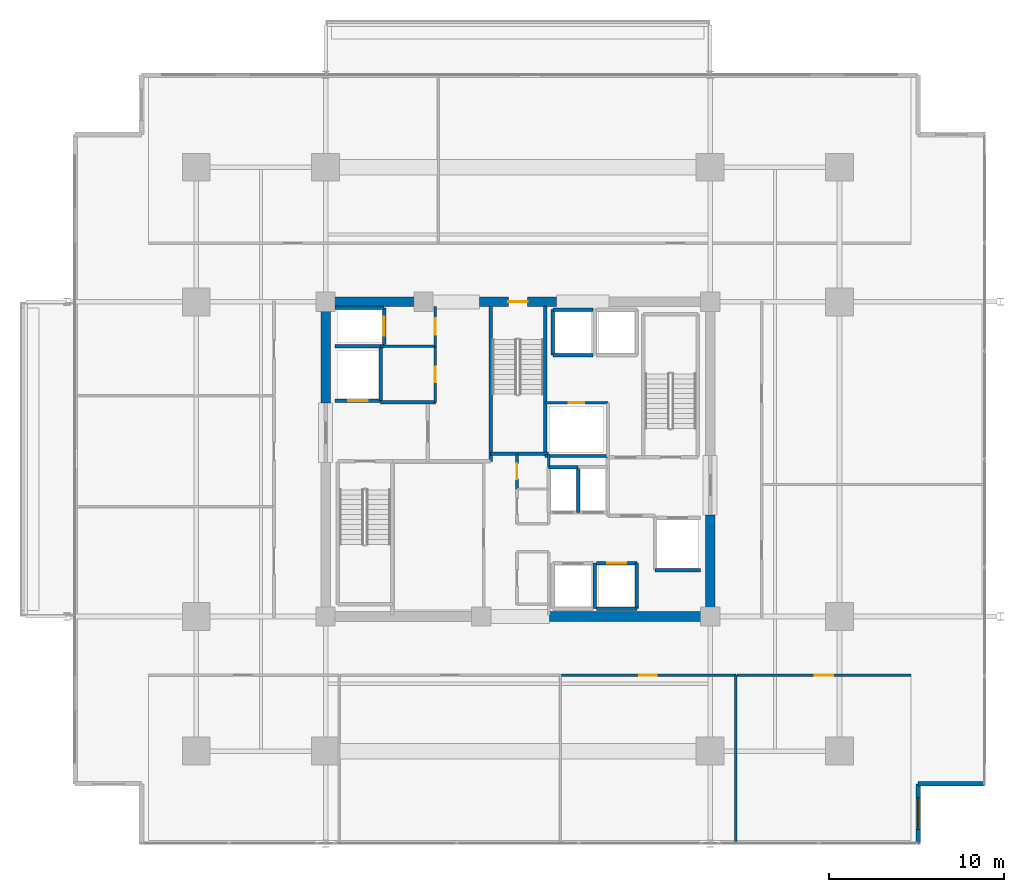
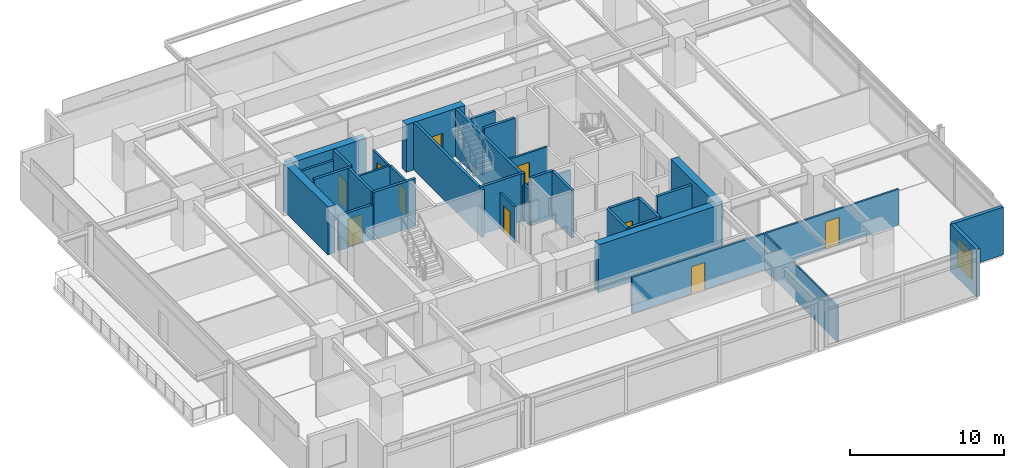
# One storey, part 14 of 20: 36 walls, 10 doors, 1 window, 11 openings.
"""IFC4 building model written with IfcOpenShell, lengths in metres."""

from ifc_helpers import new_model, si_unit, direction, frame, frame_2d, origin, place, context, subcontext, project, spatial, rectangle, extrude, material, layer, layer_set, type_object, element, fill, save


model = new_model("IFC4")

# Units and contexts
model_context = context("Model", 3, precision=1e-05, world=origin(), true_north=direction((0.0, 1.0)))
body_context = subcontext(model_context, "Body", "Model", "MODEL_VIEW")
ifc_project = project(units=[si_unit("LENGTHUNIT", "METRE"), si_unit("AREAUNIT", "SQUARE_METRE"), si_unit("VOLUMEUNIT", "CUBIC_METRE"), si_unit("PLANEANGLEUNIT", "RADIAN"), si_unit("MASSUNIT", "GRAM", prefix="KILO")], contexts=[model_context])

# Site, building, storey
site_placement = place(None, origin())
site = spatial("IfcSite", under=ifc_project, at=site_placement, CompositionType="ELEMENT")
building_placement = place(site_placement, origin())
building = spatial("IfcBuilding", under=site, at=building_placement, Name="Kovane Verandah Tower", CompositionType="ELEMENT")
storey_placement = place(building_placement, frame((0.0, 0.0, 164.39990234375)))
storey = spatial("IfcBuildingStorey", under=building, at=storey_placement, Name="L38", CompositionType="ELEMENT", Elevation=164.39990234375)

# Wall
ifc_material_1 = material(Name="Fire-Rated Gypsum Stud Partition", Category="gypsum")
ifc_layer_1 = layer(ifc_material_1, 0.14990234375)
ifc_layer_set_1 = layer_set([ifc_layer_1], Name="Fire-Rated Gypsum Stud Partition")
wall_type_1 = type_object("IfcWallType", Name="WL-COR-150", PredefinedType="PARTITIONING", material=ifc_layer_set_1)
wall_1_placement = place(storey_placement, frame((41.760009765625, 27.050048828125, 0.0), z_axis=(0.0, 0.0, 1.0), x_axis=(0.0, 1.0, 0.0)))
element("IfcWall", 1, at=wall_1_placement, inside=storey, type_object=wall_type_1, Name="L38 Central Core Strip Upper East Wall", PredefinedType="PARTITIONING", context=body_context, shape_type="SweptSolid", body=[
    extrude(rectangle(XDim=0.75, YDim=0.14990234375, at=frame_2d((0.375, 0.0))), origin(), (0.0, 0.0, 1.0), 2.85009765625),
])

# Wall, opening, door
wall_2_placement = place(storey_placement, frame((39.949951171875, 25.800048828125, 0.0), z_axis=(0.0, 0.0, 1.0), x_axis=(0.0, 1.0, 0.0)))
wall_2 = element("IfcWall", 2, at=wall_2_placement, inside=storey, type_object=wall_type_1, Name="L38 Telecom and BMS Riser Room Partition", PredefinedType="PARTITIONING", context=body_context, shape_type="SweptSolid", body=[
    extrude(rectangle(XDim=2.0, YDim=0.14990234375, at=frame_2d((1.0, 0.0))), origin(), (0.0, 0.0, 1.0), 2.85009765625),
])
opening_1_placement = place(wall_2_placement, frame((0.56005859375, 0.0, 0.0)))
opening_1 = element("IfcOpeningElement", 3, at=opening_1_placement, cuts=wall_2, Name="Opening DR-L38-022", PredefinedType="OPENING", context=body_context, shape_type="SweptSolid", body=[
    extrude(rectangle(XDim=0.8798828125, YDim=2.10009765625, at=frame_2d((0.43994140625, 1.050048828125))), frame((0.0, 0.074951171875, 0.0), z_axis=(0.0, -1.0, 0.0), x_axis=(1.0, 0.0, 0.0)), (0.0, 0.0, 1.0), 0.14990234375),
])
ifc_material_2 = material(Name="Fire-Rated Steel Riser Access Door", Category="steel")
door_type_1 = type_object("IfcDoorType", Name="DR-RISER-880", OperationType="SINGLE_SWING_LEFT", PredefinedType="DOOR", material=ifc_material_2)
door_1_placement = place(opening_1_placement, origin())
door_1 = element("IfcDoor", 4, at=door_1_placement, inside=storey, type_object=door_type_1, Name="L38 Telecom and BMS Riser Room Door", OperationType="SINGLE_SWING_RIGHT", OverallHeight=2.10009765625, OverallWidth=0.8798828125, PredefinedType="DOOR", context=body_context, shape_type="SweptSolid", body=[
    extrude(rectangle(XDim=0.8798828125, YDim=2.10009765625, at=frame_2d((0.43994140625, 1.050048828125))), frame((0.0, 0.02490234375, 0.0), z_axis=(0.0, -1.0, 0.0), x_axis=(1.0, 0.0, 0.0)), (0.0, 0.0, 1.0), 0.050048828125),
])
fill(opening_1, door_1)

# Wall
wall_3_placement = place(storey_placement, frame((32.14990234375, 33.949951171875, 0.0), z_axis=(0.0, 0.0, 1.0), x_axis=(1.0, 0.0, 0.0)))
element("IfcWall", 5, at=wall_3_placement, inside=storey, type_object=wall_type_1, Name="L38 Goods Lift Lobby South Wall", PredefinedType="PARTITIONING", context=body_context, shape_type="SweptSolid", body=[
    extrude(rectangle(XDim=3.130126953125, YDim=0.14990234375, at=frame_2d((1.56494140625, 0.0))), origin(), (0.0, 0.0, 1.0), 2.85009765625),
])

# Wall, opening, door
wall_4_placement = place(storey_placement, frame((35.280029296875, 33.949951171875, 0.0), z_axis=(0.0, 0.0, 1.0), x_axis=(0.0, 1.0, 0.0)))
wall_4 = element("IfcWall", 6, at=wall_4_placement, inside=storey, type_object=wall_type_1, Name="L38 Goods Lift Lobby East Fire Partition", PredefinedType="PARTITIONING", context=body_context, shape_type="SweptSolid", body=[
    extrude(rectangle(XDim=2.27001953125, YDim=0.14990234375, at=frame_2d((1.135009765625, 0.0))), origin(), (0.0, 0.0, 1.0), 2.755126953125),
])
opening_2_placement = place(wall_4_placement, frame((0.659912109375, 0.0, 0.0)))
opening_2 = element("IfcOpeningElement", 7, at=opening_2_placement, cuts=wall_4, Name="Opening DR-L38-008", PredefinedType="OPENING", context=body_context, shape_type="SweptSolid", body=[
    extrude(rectangle(XDim=0.949951171875, YDim=2.14990234375, at=frame_2d((0.47509765625, 1.074951171875))), frame((0.0, 0.074951171875, 0.0), z_axis=(0.0, -1.0, 0.0), x_axis=(1.0, 0.0, 0.0)), (0.0, 0.0, 1.0), 0.14990234375),
])
ifc_material_3 = material(Name="Fire-Rated Steel Refuge and Lobby Door", Category="steel")
door_type_2 = type_object("IfcDoorType", Name="DR-FIRE-950", OperationType="SINGLE_SWING_LEFT", PredefinedType="DOOR", material=ifc_material_3)
door_2_placement = place(opening_2_placement, origin())
door_2 = element("IfcDoor", 8, at=door_2_placement, inside=storey, type_object=door_type_2, Name="L38 Goods Lift Lobby Fire Door", OperationType="SINGLE_SWING_LEFT", OverallHeight=2.14990234375, OverallWidth=0.949951171875, PredefinedType="DOOR", context=body_context, shape_type="SweptSolid", body=[
    extrude(rectangle(XDim=0.949951171875, YDim=2.14990234375, at=frame_2d((0.47509765625, 1.074951171875))), frame((0.0, 0.02490234375, 0.0), z_axis=(0.0, -1.0, 0.0), x_axis=(1.0, 0.0, 0.0)), (0.0, 0.0, 1.0), 0.050048828125),
])
fill(opening_2, door_2)

wall_5_placement = place(storey_placement, frame((35.280029296875, 30.75, 0.0), z_axis=(0.0, 0.0, 1.0), x_axis=(0.0, 1.0, 0.0)))
wall_5 = element("IfcWall", 9, at=wall_5_placement, inside=storey, type_object=wall_type_1, Name="L38 Accessible Unisex Toilet Partition", PredefinedType="PARTITIONING", context=body_context, shape_type="SweptSolid", body=[
    extrude(rectangle(XDim=3.199951171875, YDim=0.14990234375, at=frame_2d((1.60009765625, 0.0))), origin(), (0.0, 0.0, 1.0), 2.85009765625),
])
opening_3_placement = place(wall_5_placement, frame((1.14990234375, 0.0, 0.0)))
opening_3 = element("IfcOpeningElement", 10, at=opening_3_placement, cuts=wall_5, Name="Opening DR-L38-023", PredefinedType="OPENING", context=body_context, shape_type="SweptSolid", body=[
    extrude(rectangle(XDim=0.89990234375, YDim=2.10009765625, at=frame_2d((0.449951171875, 1.050048828125))), frame((0.0, 0.074951171875, 0.0), z_axis=(0.0, -1.0, 0.0), x_axis=(1.0, 0.0, 0.0)), (0.0, 0.0, 1.0), 0.14990234375),
])
ifc_material_4 = material(Name="Moisture-Resistant Laminate Washroom Door", Category="wood")
door_type_3 = type_object("IfcDoorType", Name="DR-WC-900", OperationType="SINGLE_SWING_LEFT", PredefinedType="DOOR", material=ifc_material_4)
door_3_placement = place(opening_3_placement, origin())
door_3 = element("IfcDoor", 11, at=door_3_placement, inside=storey, type_object=door_type_3, Name="L38 Accessible Unisex Toilet Door", OperationType="SINGLE_SWING_RIGHT", OverallHeight=2.10009765625, OverallWidth=0.89990234375, PredefinedType="DOOR", context=body_context, shape_type="SweptSolid", body=[
    extrude(rectangle(XDim=0.89990234375, YDim=2.10009765625, at=frame_2d((0.449951171875, 1.050048828125))), frame((0.0, 0.02490234375, 0.0), z_axis=(0.0, -1.0, 0.0), x_axis=(1.0, 0.0, 0.0)), (0.0, 0.0, 1.0), 0.050048828125),
])
fill(opening_3, door_3)

# Wall
wall_6_placement = place(storey_placement, frame((41.56005859375, 27.679931640625, 0.0), z_axis=(0.0, 0.0, 1.0), x_axis=(1.0, 0.0, 0.0)))
element("IfcWall", 12, at=wall_6_placement, inside=storey, type_object=wall_type_1, Name="L38 East Core Service Riser South Wall", PredefinedType="PARTITIONING", context=body_context, shape_type="SweptSolid", body=[
    extrude(rectangle(XDim=3.58984375, YDim=0.14990234375, at=frame_2d((1.794921875, 0.0))), origin(), (0.0, 0.0, 1.0), 2.85009765625),
])

# Wall, opening, door
wall_7_placement = place(storey_placement, frame((41.56005859375, 30.719970703125, 0.0), z_axis=(0.0, 0.0, 1.0), x_axis=(1.0, 0.0, 0.0)))
wall_7 = element("IfcWall", 13, at=wall_7_placement, inside=storey, type_object=wall_type_1, Name="L38 Combined Chilled Water and Smoke Duct Room Partition", PredefinedType="PARTITIONING", context=body_context, shape_type="SweptSolid", body=[
    extrude(rectangle(XDim=3.58984375, YDim=0.14990234375, at=frame_2d((1.794921875, 0.0))), origin(), (0.0, 0.0, 1.0), 2.85009765625),
])
opening_4_placement = place(wall_7_placement, frame((1.35498046875, 0.0, 0.0)))
opening_4 = element("IfcOpeningElement", 14, at=opening_4_placement, cuts=wall_7, Name="Opening DR-L38-015", PredefinedType="OPENING", context=body_context, shape_type="SweptSolid", body=[
    extrude(rectangle(XDim=0.8798828125, YDim=2.10009765625, at=frame_2d((0.43994140625, 1.050048828125))), frame((0.0, 0.074951171875, 0.0), z_axis=(0.0, -1.0, 0.0), x_axis=(1.0, 0.0, 0.0)), (0.0, 0.0, 1.0), 0.14990234375),
])
door_4_placement = place(opening_4_placement, origin())
door_4 = element("IfcDoor", 15, at=door_4_placement, inside=storey, type_object=door_type_1, Name="L38 Combined Chilled Water and Smoke Duct Room Door", OperationType="SINGLE_SWING_RIGHT", OverallHeight=2.10009765625, OverallWidth=0.8798828125, PredefinedType="DOOR", context=body_context, shape_type="SweptSolid", body=[
    extrude(rectangle(XDim=0.8798828125, YDim=2.10009765625, at=frame_2d((0.43994140625, 1.050048828125))), frame((0.0, 0.02490234375, 0.0), z_axis=(0.0, -1.0, 0.0), x_axis=(1.0, 0.0, 0.0)), (0.0, 0.0, 1.0), 0.050048828125),
])
fill(opening_4, door_4)

wall_8_placement = place(storey_placement, frame((42.497802734375, 15.14990234375, 0.0), z_axis=(0.0, 0.0, 1.0), x_axis=(1.0, 0.0, 0.0)))
wall_8 = element("IfcWall", 16, at=wall_8_placement, inside=storey, type_object=wall_type_1, Name="L38 Open Plan Office S3 Corridor Partition", PredefinedType="PARTITIONING", context=body_context, shape_type="SweptSolid", body=[
    extrude(rectangle(XDim=9.965087890625, YDim=0.14990234375, at=frame_2d((4.982421875, 0.0))), origin(), (0.0, 0.0, 1.0), 2.85009765625),
])
opening_5_placement = place(wall_8_placement, frame((4.447509765625, 0.0, 0.0)))
opening_5 = element("IfcOpeningElement", 17, at=opening_5_placement, cuts=wall_8, Name="Opening DR-L38-020", PredefinedType="OPENING", context=body_context, shape_type="SweptSolid", body=[
    extrude(rectangle(XDim=1.0, YDim=2.14990234375, at=frame_2d((0.5, 1.074951171875))), frame((0.0, 0.074951171875, 0.0), z_axis=(0.0, -1.0, 0.0), x_axis=(1.0, 0.0, 0.0)), (0.0, 0.0, 1.0), 0.14990234375),
])
ifc_material_5 = material(Name="FSC Spotted-Gum Timber Fire-Rated Office Door", Category="wood")
door_type_4 = type_object("IfcDoorType", Name="DR-OFF-1000", OperationType="SINGLE_SWING_LEFT", PredefinedType="DOOR", material=ifc_material_5)
door_5_placement = place(opening_5_placement, origin())
door_5 = element("IfcDoor", 18, at=door_5_placement, inside=storey, type_object=door_type_4, Name="L38 Open Plan Office S3 Entrance Door", OperationType="SINGLE_SWING_LEFT", OverallHeight=2.14990234375, OverallWidth=1.0, PredefinedType="DOOR", context=body_context, shape_type="SweptSolid", body=[
    extrude(rectangle(XDim=1.0, YDim=2.14990234375, at=frame_2d((0.5, 1.074951171875))), frame((0.0, 0.02490234375, 0.0), z_axis=(0.0, -1.0, 0.0), x_axis=(1.0, 0.0, 0.0)), (0.0, 0.0, 1.0), 0.050048828125),
])
fill(opening_5, door_5)

wall_9_placement = place(storey_placement, frame((52.532958984375, 15.14990234375, 0.0), z_axis=(0.0, 0.0, 1.0), x_axis=(1.0, 0.0, 0.0)))
wall_9 = element("IfcWall", 19, at=wall_9_placement, inside=storey, type_object=wall_type_1, Name="L38 Executive Office S4 Corridor Partition", PredefinedType="PARTITIONING", context=body_context, shape_type="SweptSolid", body=[
    extrude(rectangle(XDim=9.965087890625, YDim=0.14990234375, at=frame_2d((4.982421875, 0.0))), origin(), (0.0, 0.0, 1.0), 2.85009765625),
])
opening_6_placement = place(wall_9_placement, frame((4.45751953125, 0.0, 0.0)))
opening_6 = element("IfcOpeningElement", 20, at=opening_6_placement, cuts=wall_9, Name="Opening DR-L38-021", PredefinedType="OPENING", context=body_context, shape_type="SweptSolid", body=[
    extrude(rectangle(XDim=1.050048828125, YDim=2.199951171875, at=frame_2d((0.52490234375, 1.10009765625))), frame((0.0, 0.074951171875, 0.0), z_axis=(0.0, -1.0, 0.0), x_axis=(1.0, 0.0, 0.0)), (0.0, 0.0, 1.0), 0.14990234375),
])
ifc_material_6 = material(Name="FSC Blackbutt Timber Fire-Rated Executive Door", Category="wood")
door_type_5 = type_object("IfcDoorType", Name="DR-EXEC-1050", OperationType="SINGLE_SWING_LEFT", PredefinedType="DOOR", material=ifc_material_6)
door_6_placement = place(opening_6_placement, origin())
door_6 = element("IfcDoor", 21, at=door_6_placement, inside=storey, type_object=door_type_5, Name="L38 Executive Office S4 Entrance Door", OperationType="SINGLE_SWING_RIGHT", OverallHeight=2.199951171875, OverallWidth=1.050048828125, PredefinedType="DOOR", context=body_context, shape_type="SweptSolid", body=[
    extrude(rectangle(XDim=1.050048828125, YDim=2.199951171875, at=frame_2d((0.52490234375, 1.10009765625))), frame((0.0, 0.02490234375, 0.0), z_axis=(0.0, -1.0, 0.0), x_axis=(1.0, 0.0, 0.0)), (0.0, 0.0, 1.0), 0.050048828125),
])
fill(opening_6, door_6)

# Walls
ifc_material_7 = material(Name="Concrete C60/75", Category="concrete")
ifc_layer_2 = layer(ifc_material_7, 0.550048828125)
ifc_layer_set_2 = layer_set([ifc_layer_2], Name="Concrete C60/75")
wall_type_2 = type_object("IfcWallType", Name="WL-CORE-550", PredefinedType="SHEAR", material=ifc_layer_set_2)
wall_10_placement = place(storey_placement, frame((41.800048828125, 18.5, 0.0), z_axis=(0.0, 0.0, 1.0), x_axis=(1.0, 0.0, 0.0)))
element("IfcWall", 22, at=wall_10_placement, inside=storey, type_object=wall_type_2, Name="L38 Core Shear Wall CS-2", PredefinedType="SHEAR", context=body_context, shape_type="SweptSolid", body=[
    extrude(rectangle(XDim=9.199951171875, YDim=0.550048828125, at=frame_2d((4.60009765625, 0.0))), origin(), (0.0, 0.0, 1.0), 3.775146484375),
])
wall_11_placement = place(storey_placement, frame((29.0, 36.5, 0.0), z_axis=(0.0, 0.0, 1.0), x_axis=(1.0, 0.0, 0.0)))
element("IfcWall", 23, at=wall_11_placement, inside=storey, type_object=wall_type_2, Name="L38 Core Shear Wall CN-1", PredefinedType="SHEAR", context=body_context, shape_type="SweptSolid", body=[
    extrude(rectangle(XDim=5.800048828125, YDim=0.550048828125, at=frame_2d((2.89990234375, 0.0))), origin(), (0.0, 0.0, 1.0), 3.775146484375),
])

# Wall, opening, door
wall_12_placement = place(storey_placement, frame((37.800048828125, 36.5, 0.0), z_axis=(0.0, 0.0, 1.0), x_axis=(1.0, 0.0, 0.0)))
wall_12 = element("IfcWall", 24, at=wall_12_placement, inside=storey, type_object=wall_type_2, Name="L38 Core Shear Wall CN-2", PredefinedType="SHEAR", context=body_context, shape_type="SweptSolid", body=[
    extrude(rectangle(XDim=4.39990234375, YDim=0.550048828125, at=frame_2d((2.199951171875, 0.0))), origin(), (0.0, 0.0, 1.0), 3.775146484375),
])
opening_7_placement = place(wall_12_placement, frame((1.64990234375, 0.0, 0.0)))
opening_7 = element("IfcOpeningElement", 25, at=opening_7_placement, cuts=wall_12, Name="Opening DR-L38-011", PredefinedType="OPENING", context=body_context, shape_type="SweptSolid", body=[
    extrude(rectangle(XDim=1.10009765625, YDim=2.14990234375, at=frame_2d((0.550048828125, 1.074951171875))), frame((0.0, 0.27490234375, 0.0), z_axis=(0.0, -1.0, 0.0), x_axis=(1.0, 0.0, 0.0)), (0.0, 0.0, 1.0), 0.550048828125),
])
ifc_material_8 = material(Name="Fire-Rated Steel Exit Door", Category="steel")
door_type_6 = type_object("IfcDoorType", Name="DR-STAIR-1100", OperationType="SINGLE_SWING_LEFT", PredefinedType="DOOR", material=ifc_material_8)
door_7_placement = place(opening_7_placement, origin())
door_7 = element("IfcDoor", 26, at=door_7_placement, inside=storey, type_object=door_type_6, Name="L38 ST-03 Fire Exit Stair Door", OperationType="SINGLE_SWING_LEFT", OverallHeight=2.14990234375, OverallWidth=1.10009765625, PredefinedType="DOOR", context=body_context, shape_type="SweptSolid", body=[
    extrude(rectangle(XDim=1.10009765625, YDim=2.14990234375, at=frame_2d((0.550048828125, 1.074951171875))), frame((0.0, 0.02490234375, 0.0), z_axis=(0.0, -1.0, 0.0), x_axis=(1.0, 0.0, 0.0)), (0.0, 0.0, 1.0), 0.050048828125),
])
fill(opening_7, door_7)

# Walls
for number, where, z_axis, x_axis, name in (
    (27, (29.0, 30.699951171875, 0.0), (0.0, 0.0, 1.0), (0.0, 1.0, 0.0), "L38 Core Shear Wall CW-2"),
    (28, (51.0, 18.5, 0.0), (0.0, 0.0, 1.0), (0.0, 1.0, 0.0), "L38 Core Shear Wall CE-1"),
):
    element("IfcWall", number, at=place(storey_placement, frame(where, z_axis=z_axis, x_axis=x_axis)), inside=storey, type_object=wall_type_2, Name=name, PredefinedType="SHEAR", context=body_context, shape_type="SweptSolid", body=[
        extrude(rectangle(XDim=5.800048828125, YDim=0.550048828125, at=frame_2d((2.89990234375, 0.0))), origin(), (0.0, 0.0, 1.0), 3.775146484375),
    ])
ifc_material_9 = material(Name="Concrete C45/55 Fire Wall", Category="concrete")
ifc_layer_3 = layer(ifc_material_9, 0.199951171875)
ifc_layer_set_3 = layer_set([ifc_layer_3], Name="Concrete C45/55 Fire Wall")
wall_type_3 = type_object("IfcWallType", Name="WL-FFL-200", PredefinedType="PARTITIONING", material=ifc_layer_set_3)
wall_13_placement = place(storey_placement, frame((32.14990234375, 30.75, 0.0), z_axis=(0.0, 0.0, 1.0), x_axis=(1.0, 0.0, 0.0)))
element("IfcWall", 29, at=wall_13_placement, inside=storey, type_object=wall_type_3, Name="L38 West Firefighting Lobby North Fire Wall", PredefinedType="PARTITIONING", context=body_context, shape_type="SweptSolid", body=[
    extrude(rectangle(XDim=3.130126953125, YDim=0.199951171875, at=frame_2d((1.56494140625, 0.0))), origin(), (0.0, 0.0, 1.0), 3.775146484375),
])

# Wall, opening, door
ifc_material_10 = material(Name="Concrete C45/55 Lift Shaft Wall", Category="concrete")
ifc_layer_4 = layer(ifc_material_10, 0.199951171875)
ifc_layer_set_4 = layer_set([ifc_layer_4], Name="Concrete C45/55 Lift Shaft Wall")
wall_type_4 = type_object("IfcWallType", Name="WL-LIFT-200", PredefinedType="SOLIDWALL", material=ifc_layer_set_4)
wall_14_placement = place(storey_placement, frame((29.550048828125, 30.85009765625, 0.0), z_axis=(0.0, 0.0, 1.0), x_axis=(1.0, 0.0, 0.0)))
wall_14 = element("IfcWall", 30, at=wall_14_placement, inside=storey, type_object=wall_type_4, Name="L38 Lift FL-01 S Shaft Wall", PredefinedType="SOLIDWALL", context=body_context, shape_type="SweptSolid", body=[
    extrude(rectangle(XDim=2.599853515625, YDim=0.199951171875, at=frame_2d((1.2998046875, 0.0))), origin(), (0.0, 0.0, 1.0), 2.755126953125),
])
opening_8_placement = place(wall_14_placement, frame((0.75, 0.0, 0.0)))
opening_8 = element("IfcOpeningElement", 31, at=opening_8_placement, cuts=wall_14, Name="Opening LD-L38-001", PredefinedType="OPENING", context=body_context, shape_type="SweptSolid", body=[
    extrude(rectangle(XDim=1.10009765625, YDim=2.199951171875, at=frame_2d((0.550048828125, 1.10009765625))), frame((0.0, 0.10009765625, 0.0), z_axis=(0.0, -1.0, 0.0), x_axis=(1.0, 0.0, 0.0)), (0.0, 0.0, 1.0), 0.199951171875),
])
ifc_material_11 = material(Name="Brushed Stainless Steel Sliding Lift Landing Door", Category="steel")
door_type_7 = type_object("IfcDoorType", Name="DR-LIFT-1100", OperationType="SLIDING_TO_RIGHT", PredefinedType="DOOR", material=ifc_material_11)
door_8_placement = place(opening_8_placement, origin())
door_8 = element("IfcDoor", 32, at=door_8_placement, inside=storey, type_object=door_type_7, Name="L38 Lift FL-01 Sliding Landing Door", OperationType="SLIDING_TO_RIGHT", OverallHeight=2.199951171875, OverallWidth=1.10009765625, PredefinedType="DOOR", context=body_context, shape_type="SweptSolid", body=[
    extrude(rectangle(XDim=1.10009765625, YDim=2.199951171875, at=frame_2d((0.550048828125, 1.10009765625))), frame((0.0, 0.02490234375, 0.0), z_axis=(0.0, -1.0, 0.0), x_axis=(1.0, 0.0, 0.0)), (0.0, 0.0, 1.0), 0.050048828125),
])
fill(opening_8, door_8)

# Walls
wall_15_placement = place(storey_placement, frame((29.550048828125, 33.949951171875, 0.0), z_axis=(0.0, 0.0, 1.0), x_axis=(1.0, 0.0, 0.0)))
element("IfcWall", 33, at=wall_15_placement, inside=storey, type_object=wall_type_4, Name="L38 Lift FL-01 and GL-01 Shared Shaft Wall", PredefinedType="SOLIDWALL", context=body_context, shape_type="SweptSolid", body=[
    extrude(rectangle(XDim=2.800048828125, YDim=0.199951171875, at=frame_2d((1.39990234375, 0.0))), origin(), (0.0, 0.0, 1.0), 3.775146484375),
])
wall_16_placement = place(storey_placement, frame((32.14990234375, 30.85009765625, 0.0), z_axis=(0.0, 0.0, 1.0), x_axis=(0.0, 1.0, 0.0)))
element("IfcWall", 34, at=wall_16_placement, inside=storey, type_object=wall_type_4, Name="L38 Lift FL-01 E Shaft Wall", PredefinedType="SOLIDWALL", context=body_context, shape_type="SweptSolid", body=[
    extrude(rectangle(XDim=3.0, YDim=0.199951171875, at=frame_2d((1.5, 0.0))), origin(), (0.0, 0.0, 1.0), 3.775146484375),
])
wall_17_placement = place(storey_placement, frame((47.85009765625, 21.14990234375, 0.0), z_axis=(0.0, 0.0, 1.0), x_axis=(1.0, 0.0, 0.0)))
element("IfcWall", 35, at=wall_17_placement, inside=storey, type_object=wall_type_4, Name="L38 Lift FL-02 S Shaft Wall", PredefinedType="SOLIDWALL", context=body_context, shape_type="SweptSolid", body=[
    extrude(rectangle(XDim=2.599853515625, YDim=0.199951171875, at=frame_2d((1.2998046875, 0.0))), origin(), (0.0, 0.0, 1.0), 3.775146484375),
])
wall_18_placement = place(storey_placement, frame((32.35009765625, 36.14990234375, 0.0), z_axis=(0.0, 0.0, 1.0), x_axis=(-1.0, 0.0, 0.0)))
element("IfcWall", 36, at=wall_18_placement, inside=storey, type_object=wall_type_4, Name="L38 Lift GL-01 N Shaft Wall", PredefinedType="SOLIDWALL", context=body_context, shape_type="SweptSolid", body=[
    extrude(rectangle(XDim=2.800048828125, YDim=0.199951171875, at=frame_2d((1.39990234375, 0.0))), origin(), (0.0, 0.0, 1.0), 2.9853515625),
])

# Wall, opening, door
wall_19_placement = place(storey_placement, frame((32.35009765625, 34.050048828125, 0.0), z_axis=(0.0, 0.0, 1.0), x_axis=(0.0, 1.0, 0.0)))
wall_19 = element("IfcWall", 37, at=wall_19_placement, inside=storey, type_object=wall_type_4, Name="L38 Lift GL-01 E Shaft Wall", PredefinedType="SOLIDWALL", context=body_context, shape_type="SweptSolid", body=[
    extrude(rectangle(XDim=2.099853515625, YDim=0.199951171875, at=frame_2d((1.0498046875, 0.0))), origin(), (0.0, 0.0, 1.0), 3.775146484375),
])
opening_9_placement = place(wall_19_placement, frame((0.5, 0.0, 0.0)))
opening_9 = element("IfcOpeningElement", 38, at=opening_9_placement, cuts=wall_19, Name="Opening LD-L38-003", PredefinedType="OPENING", context=body_context, shape_type="SweptSolid", body=[
    extrude(rectangle(XDim=1.10009765625, YDim=2.199951171875, at=frame_2d((0.550048828125, 1.10009765625))), frame((0.0, 0.10009765625, 0.0), z_axis=(0.0, -1.0, 0.0), x_axis=(1.0, 0.0, 0.0)), (0.0, 0.0, 1.0), 0.199951171875),
])
door_9_placement = place(opening_9_placement, origin())
door_9 = element("IfcDoor", 39, at=door_9_placement, inside=storey, type_object=door_type_7, Name="L38 Lift GL-01 Sliding Landing Door", OperationType="SLIDING_TO_RIGHT", OverallHeight=2.199951171875, OverallWidth=1.10009765625, PredefinedType="DOOR", context=body_context, shape_type="SweptSolid", body=[
    extrude(rectangle(XDim=1.10009765625, YDim=2.199951171875, at=frame_2d((0.550048828125, 1.10009765625))), frame((0.0, 0.02490234375, 0.0), z_axis=(0.0, -1.0, 0.0), x_axis=(1.0, 0.0, 0.0)), (0.0, 0.0, 1.0), 0.050048828125),
])
fill(opening_9, door_9)

# Walls
wall_20_placement = place(storey_placement, frame((44.39990234375, 18.949951171875, 0.0), z_axis=(0.0, 0.0, 1.0), x_axis=(0.0, 1.0, 0.0)))
element("IfcWall", 40, at=wall_20_placement, inside=storey, type_object=wall_type_4, Name="L38 Lift PL-M1 and PL-M2 Shared Shaft Wall", PredefinedType="SOLIDWALL", context=body_context, shape_type="SweptSolid", body=[
    extrude(rectangle(XDim=2.60009765625, YDim=0.199951171875, at=frame_2d((1.300048828125, 0.0))), origin(), (0.0, 0.0, 1.0), 3.775146484375),
])
wall_21_placement = place(storey_placement, frame((44.5, 18.949951171875, 0.0), z_axis=(0.0, 0.0, 1.0), x_axis=(1.0, 0.0, 0.0)))
element("IfcWall", 41, at=wall_21_placement, inside=storey, type_object=wall_type_4, Name="L38 Lift PL-M2 S Shaft Wall", PredefinedType="SOLIDWALL", context=body_context, shape_type="SweptSolid", body=[
    extrude(rectangle(XDim=2.300048828125, YDim=0.199951171875, at=frame_2d((1.14990234375, 0.0))), origin(), (0.0, 0.0, 1.0), 3.775146484375),
])

# Wall, opening, door
wall_22_placement = place(storey_placement, frame((46.800048828125, 21.550048828125, 0.0), z_axis=(0.0, 0.0, 1.0), x_axis=(-1.0, 0.0, 0.0)))
wall_22 = element("IfcWall", 42, at=wall_22_placement, inside=storey, type_object=wall_type_4, Name="L38 Lift PL-M2 N Shaft Wall", PredefinedType="SOLIDWALL", context=body_context, shape_type="SweptSolid", body=[
    extrude(rectangle(XDim=2.300048828125, YDim=0.199951171875, at=frame_2d((1.14990234375, 0.0))), origin(), (0.0, 0.0, 1.0), 3.775146484375),
])
opening_10_placement = place(wall_22_placement, frame((0.60009765625, 0.0, 0.0)))
opening_10 = element("IfcOpeningElement", 43, at=opening_10_placement, cuts=wall_22, Name="Opening LD-L38-005", PredefinedType="OPENING", context=body_context, shape_type="SweptSolid", body=[
    extrude(rectangle(XDim=1.10009765625, YDim=2.199951171875, at=frame_2d((0.550048828125, 1.10009765625))), frame((0.0, 0.10009765625, 0.0), z_axis=(0.0, -1.0, 0.0), x_axis=(1.0, 0.0, 0.0)), (0.0, 0.0, 1.0), 0.199951171875),
])
door_10_placement = place(opening_10_placement, origin())
door_10 = element("IfcDoor", 44, at=door_10_placement, inside=storey, type_object=door_type_7, Name="L38 Lift PL-M2 Sliding Landing Door", OperationType="SLIDING_TO_RIGHT", OverallHeight=2.199951171875, OverallWidth=1.10009765625, PredefinedType="DOOR", context=body_context, shape_type="SweptSolid", body=[
    extrude(rectangle(XDim=1.10009765625, YDim=2.199951171875, at=frame_2d((0.550048828125, 1.10009765625))), frame((0.0, 0.02490234375, 0.0), z_axis=(0.0, -1.0, 0.0), x_axis=(1.0, 0.0, 0.0)), (0.0, 0.0, 1.0), 0.050048828125),
])
fill(opening_10, door_10)

# Walls
wall_23_placement = place(storey_placement, frame((46.800048828125, 18.949951171875, 0.0), z_axis=(0.0, 0.0, 1.0), x_axis=(0.0, 1.0, 0.0)))
element("IfcWall", 45, at=wall_23_placement, inside=storey, type_object=wall_type_4, Name="L38 Lift PL-M2 E Shaft Wall", PredefinedType="SOLIDWALL", context=body_context, shape_type="SweptSolid", body=[
    extrude(rectangle(XDim=2.60009765625, YDim=0.199951171875, at=frame_2d((1.300048828125, 0.0))), origin(), (0.0, 0.0, 1.0), 3.775146484375),
])
wall_24_placement = place(storey_placement, frame((43.43994140625, 27.050048828125, 0.0), z_axis=(0.0, 0.0, 1.0), x_axis=(-1.0, 0.0, 0.0)))
element("IfcWall", 46, at=wall_24_placement, inside=storey, type_object=wall_type_4, Name="L38 Lift PL-M3 N Shaft Wall", PredefinedType="SOLIDWALL", context=body_context, shape_type="SweptSolid", body=[
    extrude(rectangle(XDim=1.679931640625, YDim=0.199951171875, at=frame_2d((0.83984375, 0.0))), origin(), (0.0, 0.0, 1.0), 3.775146484375),
])
wall_25_placement = place(storey_placement, frame((43.449951171875, 24.449951171875, 0.0), z_axis=(0.0, 0.0, 1.0), x_axis=(0.0, 1.0, 0.0)))
element("IfcWall", 47, at=wall_25_placement, inside=storey, type_object=wall_type_4, Name="L38 Lift PL-M3 and PL-M4 Shared Shaft Wall", PredefinedType="SOLIDWALL", context=body_context, shape_type="SweptSolid", body=[
    extrude(rectangle(XDim=2.60009765625, YDim=0.199951171875, at=frame_2d((1.300048828125, 0.0))), origin(), (0.0, 0.0, 1.0), 3.775146484375),
])
wall_26_placement = place(storey_placement, frame((42.0, 33.449951171875, 0.0), z_axis=(0.0, 0.0, 1.0), x_axis=(1.0, 0.0, 0.0)))
element("IfcWall", 48, at=wall_26_placement, inside=storey, type_object=wall_type_4, Name="L38 Lift SL-01 S Shaft Wall", PredefinedType="SOLIDWALL", context=body_context, shape_type="SweptSolid", body=[
    extrude(rectangle(XDim=2.300048828125, YDim=0.199951171875, at=frame_2d((1.14990234375, 0.0))), origin(), (0.0, 0.0, 1.0), 3.775146484375),
])
wall_27_placement = place(storey_placement, frame((44.300048828125, 36.050048828125, 0.0), z_axis=(0.0, 0.0, 1.0), x_axis=(-1.0, 0.0, 0.0)))
element("IfcWall", 49, at=wall_27_placement, inside=storey, type_object=wall_type_4, Name="L38 Lift SL-01 N Shaft Wall", PredefinedType="SOLIDWALL", context=body_context, shape_type="SweptSolid", body=[
    extrude(rectangle(XDim=2.300048828125, YDim=0.199951171875, at=frame_2d((1.14990234375, 0.0))), origin(), (0.0, 0.0, 1.0), 2.755126953125),
])
wall_28_placement = place(storey_placement, frame((42.0, 36.050048828125, 0.0), z_axis=(0.0, 0.0, 1.0), x_axis=(0.0, -1.0, 0.0)))
element("IfcWall", 50, at=wall_28_placement, inside=storey, type_object=wall_type_4, Name="L38 Lift SL-01 W Shaft Wall", PredefinedType="SOLIDWALL", context=body_context, shape_type="SweptSolid", body=[
    extrude(rectangle(XDim=2.60009765625, YDim=0.199951171875, at=frame_2d((1.300048828125, 0.0))), origin(), (0.0, 0.0, 1.0), 2.755126953125),
])
ifc_material_12 = material(Name="Acoustic Fire-Rated Gypsum Partition", Category="gypsum")
ifc_layer_5 = layer(ifc_material_12, 0.1201171875)
ifc_layer_set_5 = layer_set([ifc_layer_5], Name="Acoustic Fire-Rated Gypsum Partition")
wall_type_5 = type_object("IfcWallType", Name="WL-PART-120", PredefinedType="PARTITIONING", material=ifc_layer_set_5)
wall_29_placement = place(storey_placement, frame((52.462890625, 5.626953125, 0.0), z_axis=(0.0, 0.0, 1.0), x_axis=(0.0, 1.0, 0.0)))
element("IfcWall", 51, at=wall_29_placement, inside=storey, type_object=wall_type_5, Name="L38 Open Plan Office S3 Dividing Partition", PredefinedType="PARTITIONING", context=body_context, shape_type="SweptSolid", body=[
    extrude(rectangle(XDim=9.52294921875, YDim=0.1201171875, at=frame_2d((4.761474609375, 0.0))), origin(), (0.0, 0.0, 1.0), 2.85009765625),
])
ifc_material_13 = material(Name="Concrete C45/55", Category="concrete")
ifc_layer_6 = layer(ifc_material_13, 0.199951171875)
ifc_layer_set_6 = layer_set([ifc_layer_6], Name="Concrete C45/55")
wall_type_6 = type_object("IfcWallType", Name="WL-SHAFT-200", PredefinedType="SOLIDWALL", material=ifc_layer_set_6)
wall_30_placement = place(storey_placement, frame((38.43994140625, 27.3798828125, 0.0), z_axis=(0.0, 0.0, 1.0), x_axis=(0.0, 1.0, 0.0)))
element("IfcWall", 52, at=wall_30_placement, inside=storey, type_object=wall_type_6, Name="W-L38-ST03-W", PredefinedType="SOLIDWALL", context=body_context, shape_type="SweptSolid", body=[
    extrude(rectangle(XDim=8.8701171875, YDim=0.199951171875, at=frame_2d((4.43505859375, 0.0))), origin(), (0.0, 0.0, 1.0), 3.775146484375),
])
wall_31_placement = place(storey_placement, frame((41.56005859375, 27.679931640625, 0.0), z_axis=(0.0, 0.0, 1.0), x_axis=(0.0, 1.0, 0.0)))
element("IfcWall", 53, at=wall_31_placement, inside=storey, type_object=wall_type_6, Name="W-L38-ST03-E", PredefinedType="SOLIDWALL", context=body_context, shape_type="SweptSolid", body=[
    extrude(rectangle(XDim=8.570068359375, YDim=0.199951171875, at=frame_2d((4.28515625, 0.0))), origin(), (0.0, 0.0, 1.0), 3.775146484375),
])
wall_32_placement = place(storey_placement, frame((38.43994140625, 27.800048828125, 0.0), z_axis=(0.0, 0.0, 1.0), x_axis=(1.0, 0.0, 0.0)))
element("IfcWall", 54, at=wall_32_placement, inside=storey, type_object=wall_type_6, Name="W-L38-ST03-S", PredefinedType="SOLIDWALL", context=body_context, shape_type="SweptSolid", body=[
    extrude(rectangle(XDim=3.320068359375, YDim=0.199951171875, at=frame_2d((1.66015625, 0.0))), origin(), (0.0, 0.0, 1.0), 3.775146484375),
])

# Wall, opening, window
ifc_material_14 = material(Name="Concrete C45/55 Insulated Spandrel Wall", Category="concrete")
ifc_layer_7 = layer(ifc_material_14, 0.260009765625)
ifc_layer_set_7 = layer_set([ifc_layer_7], Name="Concrete C45/55 Insulated Spandrel Wall")
wall_type_7 = type_object("IfcWallType", Name="WL-SPANDREL-260", PredefinedType="PARAPET", material=ifc_layer_set_7)
wall_33_placement = place(storey_placement, frame((62.89794921875, 5.52685546875, 0.0), z_axis=(0.0, 0.0, 1.0), x_axis=(0.0, 1.0, 0.0)))
wall_33 = element("IfcWall", 55, at=wall_33_placement, inside=storey, type_object=wall_type_7, Name="L38 SE Notch Cheek Wall 1", PredefinedType="PARAPET", context=body_context, shape_type="SweptSolid", body=[
    extrude(rectangle(XDim=3.400146484375, YDim=0.260009765625, at=frame_2d((1.7001953125, 0.0))), origin(), (0.0, 0.0, 1.0), 3.775146484375),
])
opening_11_placement = place(wall_33_placement, frame((0.800048828125, 0.0, 0.85009765625)))
opening_11 = element("IfcOpeningElement", 56, at=opening_11_placement, cuts=wall_33, Name="Opening W-03", PredefinedType="OPENING", context=body_context, shape_type="SweptSolid", body=[
    extrude(rectangle(XDim=1.800048828125, YDim=2.199951171875, at=frame_2d((0.89990234375, 1.10009765625))), frame((0.0, 0.1298828125, 0.0), z_axis=(0.0, -1.0, 0.0), x_axis=(1.0, 0.0, 0.0)), (0.0, 0.0, 1.0), 0.260009765625),
])
ifc_material_15 = material(Name="Clear Low-E Laminated Double Glazing in Anodised Frame", Category="glass")
window_type = type_object("IfcWindowType", Name="WN-NOTCH-1800x2200", PartitioningType="SINGLE_PANEL", PredefinedType="WINDOW", material=ifc_material_15)
window_placement = place(opening_11_placement, origin())
window = element("IfcWindow", 57, at=window_placement, inside=storey, type_object=window_type, Name="L38 SE Re-Entrant Corner Operable Window", OverallHeight=2.199951171875, OverallWidth=1.800048828125, PartitioningType="SINGLE_PANEL", PredefinedType="WINDOW", context=body_context, shape_type="SweptSolid", body=[
    extrude(rectangle(XDim=1.800048828125, YDim=2.199951171875, at=frame_2d((0.89990234375, 1.10009765625))), frame((0.0, 0.030029296875, 0.0), z_axis=(0.0, -1.0, 0.0), x_axis=(1.0, 0.0, 0.0)), (0.0, 0.0, 1.0), 0.06005859375),
])
fill(opening_11, window)

# Wall
wall_34_placement = place(storey_placement, frame((62.89794921875, 8.927001953125, 0.0), z_axis=(0.0, 0.0, 1.0), x_axis=(1.0, 0.0, 0.0)))
element("IfcWall", 58, at=wall_34_placement, inside=storey, type_object=wall_type_7, Name="L38 SE Notch Cheek Wall 2", PredefinedType="PARAPET", context=body_context, shape_type="SweptSolid", body=[
    extrude(rectangle(XDim=3.800048828125, YDim=0.260009765625, at=frame_2d((1.89990234375, 0.0))), origin(), (0.0, 0.0, 1.0), 3.775146484375),
])

save(model, "model.ifc")
